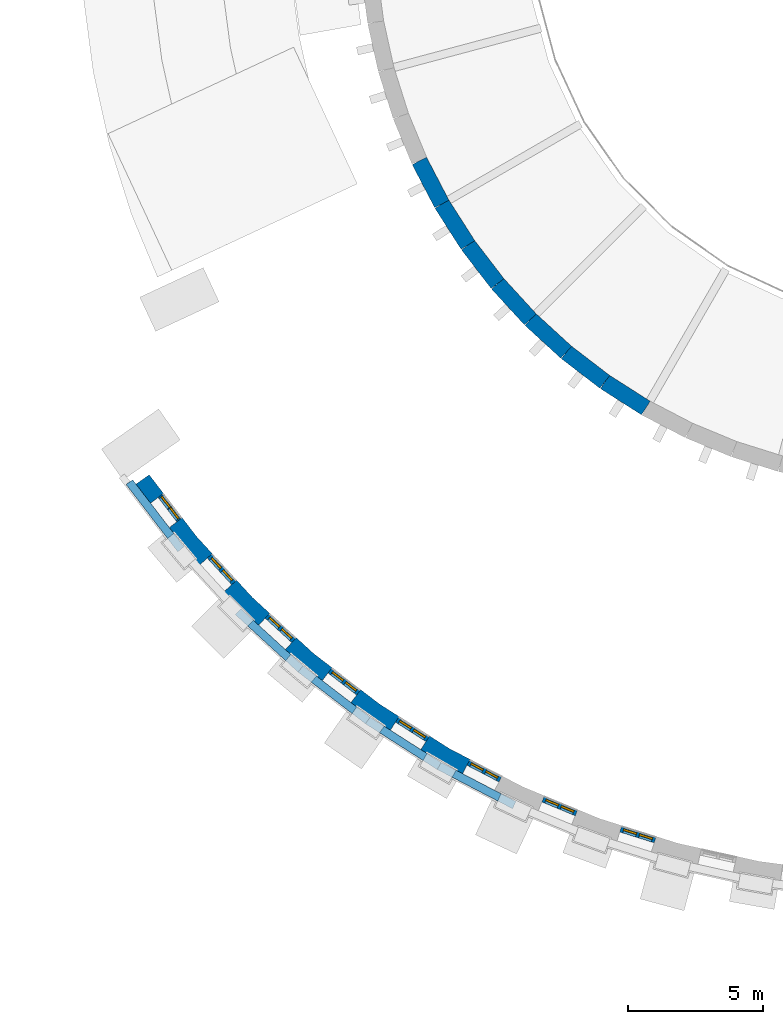
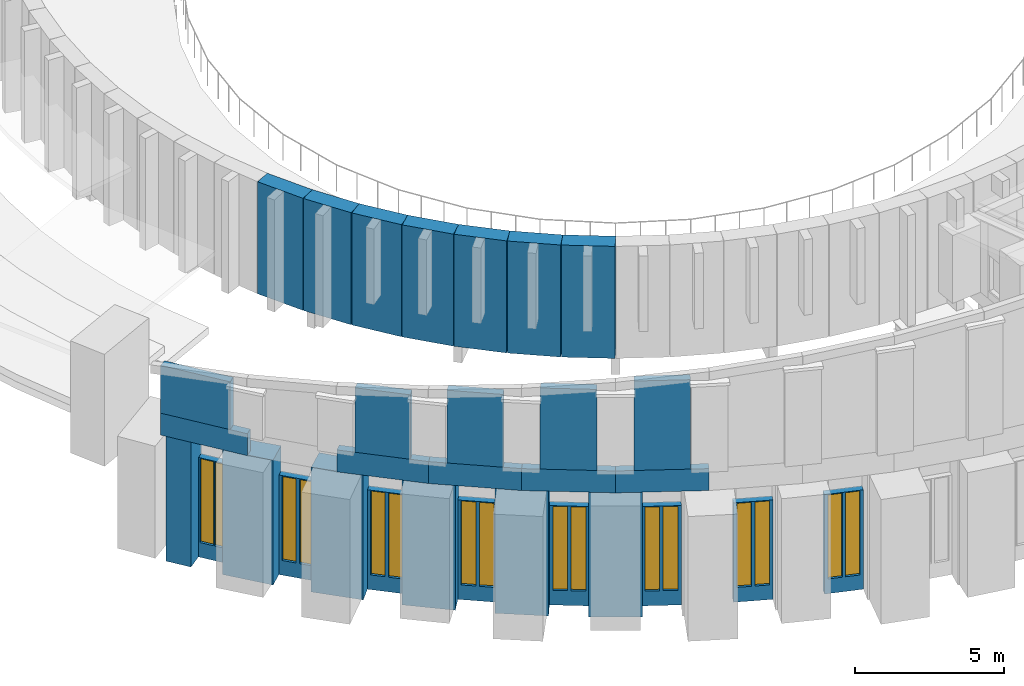
# One storey, part 23 of 50: 31 walls, 16 windows, 16 openings.
"""IFC4 building model written with IfcOpenShell, lengths in metres."""

from ifc_helpers import new_model, si_unit, direction, frame, frame_2d, origin, place, context, subcontext, project, spatial, polyline, rectangle, outline, extrude, material, layer, layer_set, type_object, element, fill, save


model = new_model("IFC4")

# Units and contexts
model_context = context("Model", 3, precision=1e-05, world=origin(), true_north=direction((0.0, 1.0)))
body_context = subcontext(model_context, "Body", "Model", "MODEL_VIEW")
ifc_project = project(units=[si_unit("LENGTHUNIT", "METRE"), si_unit("AREAUNIT", "SQUARE_METRE"), si_unit("VOLUMEUNIT", "CUBIC_METRE"), si_unit("PLANEANGLEUNIT", "RADIAN"), si_unit("MASSUNIT", "GRAM", prefix="KILO")], contexts=[model_context])

# Site, building, storey
site_placement = place(None, origin())
site = spatial("IfcSite", under=ifc_project, at=site_placement, CompositionType="ELEMENT")
building_placement = place(site_placement, origin())
building = spatial("IfcBuilding", under=site, at=building_placement, Name="Volute Hill Aquarium", CompositionType="ELEMENT")
storey_placement = place(building_placement, frame((0.0, 0.0, 9.199951171875)))
storey = spatial("IfcBuildingStorey", under=building, at=storey_placement, Name="L03", CompositionType="ELEMENT", Elevation=9.199951171875)

# Walls
ifc_material_1 = material(Name="Precast concrete C40/50", Category="concrete")
ifc_layer_1 = layer(ifc_material_1, 0.300048828125)
ifc_layer_set_1 = layer_set([ifc_layer_1], Name="Crown screen wall precast concrete C40/50 300")
wall_type_1 = type_object("IfcWallType", Name="Crown screen wall precast concrete C40/50 300", PredefinedType="NOTDEFINED", material=ifc_layer_set_1)
wall_1_placement = place(storey_placement, frame((0.0, 0.0, 6.022705078125)))
element("IfcWall", 1, at=wall_1_placement, inside=storey, type_object=wall_type_1, Name="Crown screen wall CSW S2 1", PredefinedType="NOTDEFINED", context=body_context, shape_type="SweptSolid", body=[
    extrude(outline(polyline([(-29.653564453125, -20.763671875), (-28.1103515625, -22.775146484375), (-27.88037109375, -22.58203125), (-29.40771484375, -20.591552734375), (-29.653564453125, -20.763671875)])), origin(), (0.0, 0.0, 1.0), 1.9619140625),
])
wall_2_placement = place(storey_placement, frame((0.0, 0.0, 6.022705078125)))
element("IfcWall", 2, at=wall_2_placement, inside=storey, type_object=wall_type_1, Name="Crown screen wall CSW S2 3", PredefinedType="NOTDEFINED", context=body_context, shape_type="SweptSolid", body=[
    extrude(outline(polyline([(-25.138427734375, -26.018310546875), (-23.728271484375, -27.310302734375), (-23.535400390625, -27.080322265625), (-24.926025390625, -25.805908203125), (-25.138427734375, -26.018310546875)])), origin(), (0.0, 0.0, 1.0), 2.645751953125),
])
wall_3_placement = place(storey_placement, frame((0.0, 0.0, 6.022705078125)))
element("IfcWall", 3, at=wall_3_placement, inside=storey, type_object=wall_type_1, Name="Crown screen wall CSW S2 4", PredefinedType="NOTDEFINED", context=body_context, shape_type="SweptSolid", body=[
    extrude(outline(polyline([(-22.775146484375, -28.1103515625), (-21.2578125, -29.2744140625), (-21.085693359375, -29.028564453125), (-22.58203125, -27.88037109375), (-22.775146484375, -28.1103515625)])), origin(), (0.0, 0.0, 1.0), 2.987548828125),
])
wall_4_placement = place(storey_placement, frame((0.0, 0.0, 6.022705078125)))
element("IfcWall", 4, at=wall_4_placement, inside=storey, type_object=wall_type_1, Name="Crown screen wall CSW S2 5", PredefinedType="NOTDEFINED", context=body_context, shape_type="SweptSolid", body=[
    extrude(outline(polyline([(-20.238525390625, -29.98828125), (-18.62548828125, -31.015869140625), (-18.475341796875, -30.755859375), (-20.066162109375, -29.7421875), (-20.238525390625, -29.98828125)])), origin(), (0.0, 0.0, 1.0), 3.32958984375),
])
wall_5_placement = place(storey_placement, frame((0.0, 0.0, 6.022705078125)))
element("IfcWall", 5, at=wall_5_placement, inside=storey, type_object=wall_type_1, Name="Crown screen wall CSW S2 6", PredefinedType="NOTDEFINED", context=body_context, shape_type="SweptSolid", body=[
    extrude(outline(polyline([(-17.5478515625, -31.637939453125), (-15.851318359375, -32.521240234375), (-15.724365234375, -32.2490234375), (-17.397705078125, -31.3779296875), (-17.5478515625, -31.637939453125)])), origin(), (0.0, 0.0, 1.0), 3.671630859375),
])
ifc_material_2 = material(Name="Concrete C35/45", Category="concrete")
ifc_layer_2 = layer(ifc_material_2, 0.60009765625)
ifc_layer_set_2 = layer_set([ifc_layer_2], Name="Drum wall C35/45 600")
wall_type_2 = type_object("IfcWallType", Name="Drum wall C35/45 600", PredefinedType="SHEAR", material=ifc_layer_set_2)
for number, where, z_axis, x_axis, name in (
    (6, (-18.760498046875, -8.748291015625, 0.0), (0.0, 0.0, 1.0), (0.461701764231, -0.887035219654, 0.0), "sw/DR/L03/41"),
    (7, (-17.9267578125, -10.35009765625, 0.0), (0.0, 0.0, 1.0), (0.537391510251, -0.843332890803, 0.0), "sw/DR/L03/42"),
):
    element("IfcWall", number, at=place(storey_placement, frame(where, z_axis=z_axis, x_axis=x_axis)), inside=storey, type_object=wall_type_2, Name=name, PredefinedType="SHEAR", context=body_context, shape_type="SweptSolid", body=[
        extrude(rectangle(XDim=1.805908203125, YDim=0.60009765625, at=frame_2d((0.90283203125, 0.0))), origin(), (0.0, 0.0, 1.0), 4.60009765625),
    ])
wall_6_placement = place(storey_placement, frame((-16.956298828125, -11.873046875, 0.0), z_axis=(0.0, 0.0, 1.0), x_axis=(0.608704004289, -0.793397400526, 0.0)))
element("IfcWall", 8, at=wall_6_placement, inside=storey, type_object=wall_type_2, Name="sw/DR/L03/43", PredefinedType="SHEAR", context=body_context, shape_type="SweptSolid", body=[
    extrude(rectangle(XDim=1.8056640625, YDim=0.60009765625, at=frame_2d((0.90283203125, 0.0))), origin(), (0.0, 0.0, 1.0), 4.60009765625),
])
for number, where, z_axis, x_axis, name in (
    (9, (-15.857177734375, -13.3056640625, 0.0), (0.0, 0.0, 1.0), (0.675540954152, -0.737322466268, 0.0), "sw/DR/L03/44"),
    (10, (-14.63720703125, -14.63720703125, 0.0), (0.0, 0.0, 1.0), (0.737322466268, -0.675540954152, 0.0), "sw/DR/L03/45"),
):
    element("IfcWall", number, at=place(storey_placement, frame(where, z_axis=z_axis, x_axis=x_axis)), inside=storey, type_object=wall_type_2, Name=name, PredefinedType="SHEAR", context=body_context, shape_type="SweptSolid", body=[
        extrude(rectangle(XDim=1.805908203125, YDim=0.60009765625, at=frame_2d((0.90283203125, 0.0))), origin(), (0.0, 0.0, 1.0), 4.60009765625),
    ])
wall_7_placement = place(storey_placement, frame((-13.3056640625, -15.857177734375, 0.0), z_axis=(0.0, 0.0, 1.0), x_axis=(0.793397400526, -0.608704004289, 0.0)))
element("IfcWall", 11, at=wall_7_placement, inside=storey, type_object=wall_type_2, Name="sw/DR/L03/46", PredefinedType="SHEAR", context=body_context, shape_type="SweptSolid", body=[
    extrude(rectangle(XDim=1.8056640625, YDim=0.60009765625, at=frame_2d((0.90283203125, 0.0))), origin(), (0.0, 0.0, 1.0), 4.60009765625),
])
wall_8_placement = place(storey_placement, frame((-11.873046875, -16.956298828125, 0.0), z_axis=(0.0, 0.0, 1.0), x_axis=(0.843332890803, -0.537391510251, 0.0)))
element("IfcWall", 12, at=wall_8_placement, inside=storey, type_object=wall_type_2, Name="sw/DR/L03/47", PredefinedType="SHEAR", context=body_context, shape_type="SweptSolid", body=[
    extrude(rectangle(XDim=1.805908203125, YDim=0.60009765625, at=frame_2d((0.90283203125, 0.0))), origin(), (0.0, 0.0, 1.0), 4.60009765625),
])

# Wall, openings, windows
ifc_material_3 = material(Name="Concrete C30/37", Category="concrete")
ifc_layer_3 = layer(ifc_material_3, 0.25)
ifc_layer_set_3 = layer_set([ifc_layer_3], Name="Niche back wall full height 250")
wall_type_3 = type_object("IfcWallType", Name="Niche back wall full height 250", PredefinedType="NOTDEFINED", material=ifc_layer_set_3)
wall_9_placement = place(storey_placement, frame((-27.66943359375, -22.07666015625, 0.0), z_axis=(0.0, 0.0, 1.0), x_axis=(-0.608831313341, 0.793299711267, 0.0)))
wall_9 = element("IfcWall", 13, at=wall_9_placement, inside=storey, type_object=wall_type_3, Name="Niche back wall OWN S2 L03 1", PredefinedType="NOTDEFINED", context=body_context, shape_type="SweptSolid", body=[
    extrude(rectangle(XDim=1.140869140625, YDim=0.25, at=frame_2d((0.5703125, 0.0))), origin(), (0.0, 0.0, 1.0), 4.081787109375),
])
opening_1_placement = place(wall_9_placement, frame((0.582763671875, 0.0, 0.60009765625)))
opening_1 = element("IfcOpeningElement", 14, at=opening_1_placement, cuts=wall_9, Name="Opening W3", PredefinedType="OPENING", context=body_context, shape_type="SweptSolid", body=[
    extrude(rectangle(XDim=0.5, YDim=3.449951171875, at=frame_2d((0.25, 1.72509765625))), frame((0.0, 0.135009765625, 0.0), z_axis=(0.0, -1.0, 0.0), x_axis=(1.0, 0.0, 0.0)), (0.0, 0.0, 1.0), 0.27001953125),
])
opening_2_placement = place(wall_9_placement, frame((0.05810546875, 0.0, 0.60009765625)))
opening_2 = element("IfcOpeningElement", 15, at=opening_2_placement, cuts=wall_9, Name="Opening W3", PredefinedType="OPENING", context=body_context, shape_type="SweptSolid", body=[
    extrude(rectangle(XDim=0.5, YDim=3.449951171875, at=frame_2d((0.25, 1.72509765625))), frame((0.0, 0.135009765625, 0.0), z_axis=(0.0, -1.0, 0.0), x_axis=(1.0, 0.0, 0.0)), (0.0, 0.0, 1.0), 0.27001953125),
])
ifc_material_4 = material(Name="Aluminium and glass", Category="aluminium")
window_type = type_object("IfcWindowType", Name="Slit window 500x3450", PartitioningType="SINGLE_PANEL", PredefinedType="WINDOW", material=ifc_material_4)
window_1_placement = place(opening_1_placement, origin())
window_1 = element("IfcWindow", 16, at=window_1_placement, inside=storey, type_object=window_type, Name="Slit window S2 L03 1.1.1", OverallHeight=3.449951171875, OverallWidth=0.5, PartitioningType="SINGLE_PANEL", PredefinedType="WINDOW", context=body_context, shape_type="SweptSolid", body=[
    extrude(rectangle(XDim=0.5, YDim=3.449951171875, at=frame_2d((0.25, 1.72509765625))), frame((0.0, 0.030029296875, 0.0), z_axis=(0.0, -1.0, 0.0), x_axis=(1.0, 0.0, 0.0)), (0.0, 0.0, 1.0), 0.06005859375),
])
fill(opening_1, window_1)
window_2_placement = place(opening_2_placement, origin())
window_2 = element("IfcWindow", 17, at=window_2_placement, inside=storey, type_object=window_type, Name="Slit window S2 L03 1.1.2", OverallHeight=3.449951171875, OverallWidth=0.5, PartitioningType="SINGLE_PANEL", PredefinedType="WINDOW", context=body_context, shape_type="SweptSolid", body=[
    extrude(rectangle(XDim=0.5, YDim=3.449951171875, at=frame_2d((0.25, 1.72509765625))), frame((0.0, 0.030029296875, 0.0), z_axis=(0.0, -1.0, 0.0), x_axis=(1.0, 0.0, 0.0)), (0.0, 0.0, 1.0), 0.06005859375),
])
fill(opening_2, window_2)

wall_10_placement = place(storey_placement, frame((-25.639892578125, -24.404296875, 0.0), z_axis=(0.0, 0.0, 1.0), x_axis=(-0.675576229389, 0.737290145251, 0.0)))
wall_10 = element("IfcWall", 18, at=wall_10_placement, inside=storey, type_object=wall_type_3, Name="Niche back wall OWN S2 L03 2", PredefinedType="NOTDEFINED", context=body_context, shape_type="SweptSolid", body=[
    extrude(rectangle(XDim=1.341064453125, YDim=0.25, at=frame_2d((0.67041015625, 0.0))), origin(), (0.0, 0.0, 1.0), 4.086669921875),
])
opening_3_placement = place(wall_10_placement, frame((0.72900390625, 0.0, 0.60009765625)))
opening_3 = element("IfcOpeningElement", 19, at=opening_3_placement, cuts=wall_10, Name="Opening W3", PredefinedType="OPENING", context=body_context, shape_type="SweptSolid", body=[
    extrude(rectangle(XDim=0.5, YDim=3.449951171875, at=frame_2d((0.25, 1.72509765625))), frame((0.0, 0.135009765625, 0.0), z_axis=(0.0, -1.0, 0.0), x_axis=(1.0, 0.0, 0.0)), (0.0, 0.0, 1.0), 0.27001953125),
])
opening_4_placement = place(wall_10_placement, frame((0.112060546875, 0.0, 0.60009765625)))
opening_4 = element("IfcOpeningElement", 20, at=opening_4_placement, cuts=wall_10, Name="Opening W3", PredefinedType="OPENING", context=body_context, shape_type="SweptSolid", body=[
    extrude(rectangle(XDim=0.5, YDim=3.449951171875, at=frame_2d((0.25, 1.72509765625))), frame((0.0, 0.135009765625, 0.0), z_axis=(0.0, -1.0, 0.0), x_axis=(1.0, 0.0, 0.0)), (0.0, 0.0, 1.0), 0.27001953125),
])
window_3_placement = place(opening_3_placement, origin())
window_3 = element("IfcWindow", 21, at=window_3_placement, inside=storey, type_object=window_type, Name="Slit window S2 L03 2.1.1", OverallHeight=3.449951171875, OverallWidth=0.5, PartitioningType="SINGLE_PANEL", PredefinedType="WINDOW", context=body_context, shape_type="SweptSolid", body=[
    extrude(rectangle(XDim=0.5, YDim=3.449951171875, at=frame_2d((0.25, 1.72509765625))), frame((0.0, 0.030029296875, 0.0), z_axis=(0.0, -1.0, 0.0), x_axis=(1.0, 0.0, 0.0)), (0.0, 0.0, 1.0), 0.06005859375),
])
fill(opening_3, window_3)
window_4_placement = place(opening_4_placement, origin())
window_4 = element("IfcWindow", 22, at=window_4_placement, inside=storey, type_object=window_type, Name="Slit window S2 L03 2.1.2", OverallHeight=3.449951171875, OverallWidth=0.5, PartitioningType="SINGLE_PANEL", PredefinedType="WINDOW", context=body_context, shape_type="SweptSolid", body=[
    extrude(rectangle(XDim=0.5, YDim=3.449951171875, at=frame_2d((0.25, 1.72509765625))), frame((0.0, 0.030029296875, 0.0), z_axis=(0.0, -1.0, 0.0), x_axis=(1.0, 0.0, 0.0)), (0.0, 0.0, 1.0), 0.06005859375),
])
fill(opening_4, window_4)

wall_11_placement = place(storey_placement, frame((-23.41552734375, -26.5458984375, 0.0), z_axis=(0.0, 0.0, 1.0), x_axis=(-0.737290145251, 0.675576229389, 0.0)))
wall_11 = element("IfcWall", 23, at=wall_11_placement, inside=storey, type_object=wall_type_3, Name="Niche back wall OWN S2 L03 3", PredefinedType="NOTDEFINED", context=body_context, shape_type="SweptSolid", body=[
    extrude(rectangle(XDim=1.341064453125, YDim=0.25, at=frame_2d((0.67041015625, 0.0))), origin(), (0.0, 0.0, 1.0), 4.07958984375),
])
opening_5_placement = place(wall_11_placement, frame((0.72900390625, 0.0, 0.60009765625)))
opening_5 = element("IfcOpeningElement", 24, at=opening_5_placement, cuts=wall_11, Name="Opening W3", PredefinedType="OPENING", context=body_context, shape_type="SweptSolid", body=[
    extrude(rectangle(XDim=0.5, YDim=3.449951171875, at=frame_2d((0.25, 1.72509765625))), frame((0.0, 0.135009765625, 0.0), z_axis=(0.0, -1.0, 0.0), x_axis=(1.0, 0.0, 0.0)), (0.0, 0.0, 1.0), 0.27001953125),
])
opening_6_placement = place(wall_11_placement, frame((0.112060546875, 0.0, 0.60009765625)))
opening_6 = element("IfcOpeningElement", 25, at=opening_6_placement, cuts=wall_11, Name="Opening W3", PredefinedType="OPENING", context=body_context, shape_type="SweptSolid", body=[
    extrude(rectangle(XDim=0.5, YDim=3.449951171875, at=frame_2d((0.25, 1.72509765625))), frame((0.0, 0.135009765625, 0.0), z_axis=(0.0, -1.0, 0.0), x_axis=(1.0, 0.0, 0.0)), (0.0, 0.0, 1.0), 0.27001953125),
])
window_5_placement = place(opening_5_placement, origin())
window_5 = element("IfcWindow", 26, at=window_5_placement, inside=storey, type_object=window_type, Name="Slit window S2 L03 3.1.1", OverallHeight=3.449951171875, OverallWidth=0.5, PartitioningType="SINGLE_PANEL", PredefinedType="WINDOW", context=body_context, shape_type="SweptSolid", body=[
    extrude(rectangle(XDim=0.5, YDim=3.449951171875, at=frame_2d((0.25, 1.72509765625))), frame((0.0, 0.030029296875, 0.0), z_axis=(0.0, -1.0, 0.0), x_axis=(1.0, 0.0, 0.0)), (0.0, 0.0, 1.0), 0.06005859375),
])
fill(opening_5, window_5)
window_6_placement = place(opening_6_placement, origin())
window_6 = element("IfcWindow", 27, at=window_6_placement, inside=storey, type_object=window_type, Name="Slit window S2 L03 3.1.2", OverallHeight=3.449951171875, OverallWidth=0.5, PartitioningType="SINGLE_PANEL", PredefinedType="WINDOW", context=body_context, shape_type="SweptSolid", body=[
    extrude(rectangle(XDim=0.5, YDim=3.449951171875, at=frame_2d((0.25, 1.72509765625))), frame((0.0, 0.030029296875, 0.0), z_axis=(0.0, -1.0, 0.0), x_axis=(1.0, 0.0, 0.0)), (0.0, 0.0, 1.0), 0.06005859375),
])
fill(opening_6, window_6)

wall_12_placement = place(storey_placement, frame((-21.0126953125, -28.48583984375, 0.0), z_axis=(0.0, 0.0, 1.0), x_axis=(-0.793354308621, 0.608760167055, 0.0)))
wall_12 = element("IfcWall", 28, at=wall_12_placement, inside=storey, type_object=wall_type_3, Name="Niche back wall OWN S2 L03 4", PredefinedType="NOTDEFINED", context=body_context, shape_type="SweptSolid", body=[
    extrude(rectangle(XDim=1.341064453125, YDim=0.25, at=frame_2d((0.67041015625, 0.0))), origin(), (0.0, 0.0, 1.0), 4.07958984375),
])
opening_7_placement = place(wall_12_placement, frame((0.72900390625, 0.0, 0.60009765625)))
opening_7 = element("IfcOpeningElement", 29, at=opening_7_placement, cuts=wall_12, Name="Opening W3", PredefinedType="OPENING", context=body_context, shape_type="SweptSolid", body=[
    extrude(rectangle(XDim=0.5, YDim=3.449951171875, at=frame_2d((0.25, 1.72509765625))), frame((0.0, 0.135009765625, 0.0), z_axis=(0.0, -1.0, 0.0), x_axis=(1.0, 0.0, 0.0)), (0.0, 0.0, 1.0), 0.27001953125),
])
opening_8_placement = place(wall_12_placement, frame((0.112060546875, 0.0, 0.60009765625)))
opening_8 = element("IfcOpeningElement", 30, at=opening_8_placement, cuts=wall_12, Name="Opening W3", PredefinedType="OPENING", context=body_context, shape_type="SweptSolid", body=[
    extrude(rectangle(XDim=0.5, YDim=3.449951171875, at=frame_2d((0.25, 1.72509765625))), frame((0.0, 0.135009765625, 0.0), z_axis=(0.0, -1.0, 0.0), x_axis=(1.0, 0.0, 0.0)), (0.0, 0.0, 1.0), 0.27001953125),
])
window_7_placement = place(opening_7_placement, origin())
window_7 = element("IfcWindow", 31, at=window_7_placement, inside=storey, type_object=window_type, Name="Slit window S2 L03 4.1.1", OverallHeight=3.449951171875, OverallWidth=0.5, PartitioningType="SINGLE_PANEL", PredefinedType="WINDOW", context=body_context, shape_type="SweptSolid", body=[
    extrude(rectangle(XDim=0.5, YDim=3.449951171875, at=frame_2d((0.25, 1.72509765625))), frame((0.0, 0.030029296875, 0.0), z_axis=(0.0, -1.0, 0.0), x_axis=(1.0, 0.0, 0.0)), (0.0, 0.0, 1.0), 0.06005859375),
])
fill(opening_7, window_7)
window_8_placement = place(opening_8_placement, origin())
window_8 = element("IfcWindow", 32, at=window_8_placement, inside=storey, type_object=window_type, Name="Slit window S2 L03 4.1.2", OverallHeight=3.449951171875, OverallWidth=0.5, PartitioningType="SINGLE_PANEL", PredefinedType="WINDOW", context=body_context, shape_type="SweptSolid", body=[
    extrude(rectangle(XDim=0.5, YDim=3.449951171875, at=frame_2d((0.25, 1.72509765625))), frame((0.0, 0.030029296875, 0.0), z_axis=(0.0, -1.0, 0.0), x_axis=(1.0, 0.0, 0.0)), (0.0, 0.0, 1.0), 0.06005859375),
])
fill(opening_8, window_8)

wall_13_placement = place(storey_placement, frame((-18.449951171875, -30.208740234375, 0.0), z_axis=(0.0, 0.0, 1.0), x_axis=(-0.843436528723, 0.5372288358, 0.0)))
wall_13 = element("IfcWall", 33, at=wall_13_placement, inside=storey, type_object=wall_type_3, Name="Niche back wall OWN S2 L03 5", PredefinedType="NOTDEFINED", context=body_context, shape_type="SweptSolid", body=[
    extrude(rectangle(XDim=1.341064453125, YDim=0.25, at=frame_2d((0.67041015625, 0.0))), origin(), (0.0, 0.0, 1.0), 4.07958984375),
])
opening_9_placement = place(wall_13_placement, frame((0.72900390625, 0.0, 0.60009765625)))
opening_9 = element("IfcOpeningElement", 34, at=opening_9_placement, cuts=wall_13, Name="Opening W3", PredefinedType="OPENING", context=body_context, shape_type="SweptSolid", body=[
    extrude(rectangle(XDim=0.5, YDim=3.449951171875, at=frame_2d((0.25, 1.72509765625))), frame((0.0, 0.135009765625, 0.0), z_axis=(0.0, -1.0, 0.0), x_axis=(1.0, 0.0, 0.0)), (0.0, 0.0, 1.0), 0.27001953125),
])
opening_10_placement = place(wall_13_placement, frame((0.112060546875, 0.0, 0.60009765625)))
opening_10 = element("IfcOpeningElement", 35, at=opening_10_placement, cuts=wall_13, Name="Opening W3", PredefinedType="OPENING", context=body_context, shape_type="SweptSolid", body=[
    extrude(rectangle(XDim=0.5, YDim=3.449951171875, at=frame_2d((0.25, 1.72509765625))), frame((0.0, 0.135009765625, 0.0), z_axis=(0.0, -1.0, 0.0), x_axis=(1.0, 0.0, 0.0)), (0.0, 0.0, 1.0), 0.27001953125),
])
window_9_placement = place(opening_9_placement, origin())
window_9 = element("IfcWindow", 36, at=window_9_placement, inside=storey, type_object=window_type, Name="Slit window S2 L03 5.1.1", OverallHeight=3.449951171875, OverallWidth=0.5, PartitioningType="SINGLE_PANEL", PredefinedType="WINDOW", context=body_context, shape_type="SweptSolid", body=[
    extrude(rectangle(XDim=0.5, YDim=3.449951171875, at=frame_2d((0.25, 1.72509765625))), frame((0.0, 0.030029296875, 0.0), z_axis=(0.0, -1.0, 0.0), x_axis=(1.0, 0.0, 0.0)), (0.0, 0.0, 1.0), 0.06005859375),
])
fill(opening_9, window_9)
window_10_placement = place(opening_10_placement, origin())
window_10 = element("IfcWindow", 37, at=window_10_placement, inside=storey, type_object=window_type, Name="Slit window S2 L03 5.1.2", OverallHeight=3.449951171875, OverallWidth=0.5, PartitioningType="SINGLE_PANEL", PredefinedType="WINDOW", context=body_context, shape_type="SweptSolid", body=[
    extrude(rectangle(XDim=0.5, YDim=3.449951171875, at=frame_2d((0.25, 1.72509765625))), frame((0.0, 0.030029296875, 0.0), z_axis=(0.0, -1.0, 0.0), x_axis=(1.0, 0.0, 0.0)), (0.0, 0.0, 1.0), 0.06005859375),
])
fill(opening_10, window_10)

wall_14_placement = place(storey_placement, frame((-15.7470703125, -31.701904296875, 0.0), z_axis=(0.0, 0.0, 1.0), x_axis=(-0.886951374027, 0.461862815252, 0.0)))
wall_14 = element("IfcWall", 38, at=wall_14_placement, inside=storey, type_object=wall_type_3, Name="Niche back wall OWN S2 L03 6", PredefinedType="NOTDEFINED", context=body_context, shape_type="SweptSolid", body=[
    extrude(rectangle(XDim=1.341064453125, YDim=0.25, at=frame_2d((0.67041015625, 0.0))), origin(), (0.0, 0.0, 1.0), 4.07958984375),
])
opening_11_placement = place(wall_14_placement, frame((0.72900390625, 0.0, 0.60009765625)))
opening_11 = element("IfcOpeningElement", 39, at=opening_11_placement, cuts=wall_14, Name="Opening W3", PredefinedType="OPENING", context=body_context, shape_type="SweptSolid", body=[
    extrude(rectangle(XDim=0.5, YDim=3.449951171875, at=frame_2d((0.25, 1.72509765625))), frame((0.0, 0.135009765625, 0.0), z_axis=(0.0, -1.0, 0.0), x_axis=(1.0, 0.0, 0.0)), (0.0, 0.0, 1.0), 0.27001953125),
])
opening_12_placement = place(wall_14_placement, frame((0.112060546875, 0.0, 0.60009765625)))
opening_12 = element("IfcOpeningElement", 40, at=opening_12_placement, cuts=wall_14, Name="Opening W3", PredefinedType="OPENING", context=body_context, shape_type="SweptSolid", body=[
    extrude(rectangle(XDim=0.5, YDim=3.449951171875, at=frame_2d((0.25, 1.72509765625))), frame((0.0, 0.135009765625, 0.0), z_axis=(0.0, -1.0, 0.0), x_axis=(1.0, 0.0, 0.0)), (0.0, 0.0, 1.0), 0.27001953125),
])
window_11_placement = place(opening_11_placement, origin())
window_11 = element("IfcWindow", 41, at=window_11_placement, inside=storey, type_object=window_type, Name="Slit window S2 L03 6.1.1", OverallHeight=3.449951171875, OverallWidth=0.5, PartitioningType="SINGLE_PANEL", PredefinedType="WINDOW", context=body_context, shape_type="SweptSolid", body=[
    extrude(rectangle(XDim=0.5, YDim=3.449951171875, at=frame_2d((0.25, 1.72509765625))), frame((0.0, 0.030029296875, 0.0), z_axis=(0.0, -1.0, 0.0), x_axis=(1.0, 0.0, 0.0)), (0.0, 0.0, 1.0), 0.06005859375),
])
fill(opening_11, window_11)
window_12_placement = place(opening_12_placement, origin())
window_12 = element("IfcWindow", 42, at=window_12_placement, inside=storey, type_object=window_type, Name="Slit window S2 L03 6.1.2", OverallHeight=3.449951171875, OverallWidth=0.5, PartitioningType="SINGLE_PANEL", PredefinedType="WINDOW", context=body_context, shape_type="SweptSolid", body=[
    extrude(rectangle(XDim=0.5, YDim=3.449951171875, at=frame_2d((0.25, 1.72509765625))), frame((0.0, 0.030029296875, 0.0), z_axis=(0.0, -1.0, 0.0), x_axis=(1.0, 0.0, 0.0)), (0.0, 0.0, 1.0), 0.06005859375),
])
fill(opening_12, window_12)

wall_15_placement = place(storey_placement, frame((-12.924072265625, -32.95361328125, 0.0), z_axis=(0.0, 0.0, 1.0), x_axis=(-0.923888145957, 0.382662637005, 0.0)))
wall_15 = element("IfcWall", 43, at=wall_15_placement, inside=storey, type_object=wall_type_3, Name="Niche back wall OWN S2 L03 7", PredefinedType="NOTDEFINED", context=body_context, shape_type="SweptSolid", body=[
    extrude(rectangle(XDim=1.341064453125, YDim=0.25, at=frame_2d((0.67041015625, 0.0))), origin(), (0.0, 0.0, 1.0), 4.07958984375),
])
opening_13_placement = place(wall_15_placement, frame((0.72900390625, 0.0, 0.60009765625)))
opening_13 = element("IfcOpeningElement", 44, at=opening_13_placement, cuts=wall_15, Name="Opening W3", PredefinedType="OPENING", context=body_context, shape_type="SweptSolid", body=[
    extrude(rectangle(XDim=0.5, YDim=3.449951171875, at=frame_2d((0.25, 1.72509765625))), frame((0.0, 0.135009765625, 0.0), z_axis=(0.0, -1.0, 0.0), x_axis=(1.0, 0.0, 0.0)), (0.0, 0.0, 1.0), 0.27001953125),
])
opening_14_placement = place(wall_15_placement, frame((0.112060546875, 0.0, 0.60009765625)))
opening_14 = element("IfcOpeningElement", 45, at=opening_14_placement, cuts=wall_15, Name="Opening W3", PredefinedType="OPENING", context=body_context, shape_type="SweptSolid", body=[
    extrude(rectangle(XDim=0.5, YDim=3.449951171875, at=frame_2d((0.25, 1.72509765625))), frame((0.0, 0.135009765625, 0.0), z_axis=(0.0, -1.0, 0.0), x_axis=(1.0, 0.0, 0.0)), (0.0, 0.0, 1.0), 0.27001953125),
])
window_13_placement = place(opening_13_placement, origin())
window_13 = element("IfcWindow", 46, at=window_13_placement, inside=storey, type_object=window_type, Name="Slit window S2 L03 7.1.1", OverallHeight=3.449951171875, OverallWidth=0.5, PartitioningType="SINGLE_PANEL", PredefinedType="WINDOW", context=body_context, shape_type="SweptSolid", body=[
    extrude(rectangle(XDim=0.5, YDim=3.449951171875, at=frame_2d((0.25, 1.72509765625))), frame((0.0, 0.030029296875, 0.0), z_axis=(0.0, -1.0, 0.0), x_axis=(1.0, 0.0, 0.0)), (0.0, 0.0, 1.0), 0.06005859375),
])
fill(opening_13, window_13)
window_14_placement = place(opening_14_placement, origin())
window_14 = element("IfcWindow", 47, at=window_14_placement, inside=storey, type_object=window_type, Name="Slit window S2 L03 7.1.2", OverallHeight=3.449951171875, OverallWidth=0.5, PartitioningType="SINGLE_PANEL", PredefinedType="WINDOW", context=body_context, shape_type="SweptSolid", body=[
    extrude(rectangle(XDim=0.5, YDim=3.449951171875, at=frame_2d((0.25, 1.72509765625))), frame((0.0, 0.030029296875, 0.0), z_axis=(0.0, -1.0, 0.0), x_axis=(1.0, 0.0, 0.0)), (0.0, 0.0, 1.0), 0.06005859375),
])
fill(opening_14, window_14)

wall_16_placement = place(storey_placement, frame((-10.002685546875, -33.95458984375, 0.0), z_axis=(0.0, 0.0, 1.0), x_axis=(-0.953709137905, 0.300730577556, 0.0)))
wall_16 = element("IfcWall", 48, at=wall_16_placement, inside=storey, type_object=wall_type_3, Name="Niche back wall OWN S2 L03 8", PredefinedType="NOTDEFINED", context=body_context, shape_type="SweptSolid", body=[
    extrude(rectangle(XDim=1.341064453125, YDim=0.25, at=frame_2d((0.67041015625, 0.0))), origin(), (0.0, 0.0, 1.0), 4.07958984375),
])
opening_15_placement = place(wall_16_placement, frame((0.72900390625, 0.0, 0.60009765625)))
opening_15 = element("IfcOpeningElement", 49, at=opening_15_placement, cuts=wall_16, Name="Opening W3", PredefinedType="OPENING", context=body_context, shape_type="SweptSolid", body=[
    extrude(rectangle(XDim=0.5, YDim=3.449951171875, at=frame_2d((0.25, 1.72509765625))), frame((0.0, 0.135009765625, 0.0), z_axis=(0.0, -1.0, 0.0), x_axis=(1.0, 0.0, 0.0)), (0.0, 0.0, 1.0), 0.27001953125),
])
opening_16_placement = place(wall_16_placement, frame((0.112060546875, 0.0, 0.60009765625)))
opening_16 = element("IfcOpeningElement", 50, at=opening_16_placement, cuts=wall_16, Name="Opening W3", PredefinedType="OPENING", context=body_context, shape_type="SweptSolid", body=[
    extrude(rectangle(XDim=0.5, YDim=3.449951171875, at=frame_2d((0.25, 1.72509765625))), frame((0.0, 0.135009765625, 0.0), z_axis=(0.0, -1.0, 0.0), x_axis=(1.0, 0.0, 0.0)), (0.0, 0.0, 1.0), 0.27001953125),
])
window_15_placement = place(opening_15_placement, origin())
window_15 = element("IfcWindow", 51, at=window_15_placement, inside=storey, type_object=window_type, Name="Slit window S2 L03 8.1.1", OverallHeight=3.449951171875, OverallWidth=0.5, PartitioningType="SINGLE_PANEL", PredefinedType="WINDOW", context=body_context, shape_type="SweptSolid", body=[
    extrude(rectangle(XDim=0.5, YDim=3.449951171875, at=frame_2d((0.25, 1.72509765625))), frame((0.0, 0.030029296875, 0.0), z_axis=(0.0, -1.0, 0.0), x_axis=(1.0, 0.0, 0.0)), (0.0, 0.0, 1.0), 0.06005859375),
])
fill(opening_15, window_15)
window_16_placement = place(opening_16_placement, origin())
window_16 = element("IfcWindow", 52, at=window_16_placement, inside=storey, type_object=window_type, Name="Slit window S2 L03 8.1.2", OverallHeight=3.449951171875, OverallWidth=0.5, PartitioningType="SINGLE_PANEL", PredefinedType="WINDOW", context=body_context, shape_type="SweptSolid", body=[
    extrude(rectangle(XDim=0.5, YDim=3.449951171875, at=frame_2d((0.25, 1.72509765625))), frame((0.0, 0.030029296875, 0.0), z_axis=(0.0, -1.0, 0.0), x_axis=(1.0, 0.0, 0.0)), (0.0, 0.0, 1.0), 0.06005859375),
])
fill(opening_16, window_16)

# Walls
ifc_material_5 = material(Name="Precast concrete C40/50", Category="concrete")
ifc_layer_4 = layer(ifc_material_5, 0.89990234375)
ifc_layer_set_4 = layer_set([ifc_layer_4], Name="Outer pier precast concrete C40/50 900")
wall_type_4 = type_object("IfcWallType", Name="Outer pier precast concrete C40/50 900", PredefinedType="NOTDEFINED", material=ifc_layer_set_4)
wall_17_placement = place(storey_placement, origin())
element("IfcWall", 53, at=wall_17_placement, inside=storey, type_object=wall_type_4, Name="Outer pier OWP S2 L03 1", PredefinedType="NOTDEFINED", context=body_context, shape_type="SweptSolid", body=[
    extrude(outline(polyline([(-28.7939453125, -20.40576171875), (-29.53173828125, -20.922607421875), (-28.978759765625, -21.643310546875), (-28.2646484375, -21.095458984375), (-28.7939453125, -20.40576171875)])), origin(), (0.0, 0.0, 1.0), 5.12255859375),
])
wall_18_placement = place(storey_placement, origin())
element("IfcWall", 54, at=wall_18_placement, inside=storey, type_object=wall_type_4, Name="Outer pier OWP S2 L03 2", PredefinedType="NOTDEFINED", context=body_context, shape_type="SweptSolid", body=[
    extrude(outline(polyline([(-27.570068359375, -22.00048828125), (-28.2841796875, -22.548583984375), (-27.117431640625, -23.93896484375), (-26.453857421875, -23.3310546875), (-27.041015625, -22.690185546875), (-27.570068359375, -22.00048828125)])), origin(), (0.0, 0.0, 1.0), 5.12255859375),
])
wall_19_placement = place(storey_placement, origin())
element("IfcWall", 55, at=wall_19_placement, inside=storey, type_object=wall_type_4, Name="Outer pier OWP S2 L03 3", PredefinedType="NOTDEFINED", context=body_context, shape_type="SweptSolid", body=[
    extrude(outline(polyline([(-25.5478515625, -24.31982421875), (-26.21142578125, -24.927734375), (-24.927734375, -26.21142578125), (-24.31982421875, -25.5478515625), (-24.960693359375, -24.960693359375), (-25.5478515625, -24.31982421875)])), origin(), (0.0, 0.0, 1.0), 5.12255859375),
])
wall_20_placement = place(storey_placement, origin())
element("IfcWall", 56, at=wall_20_placement, inside=storey, type_object=wall_type_4, Name="Outer pier OWP S2 L03 4", PredefinedType="NOTDEFINED", context=body_context, shape_type="SweptSolid", body=[
    extrude(outline(polyline([(-23.3310546875, -26.453857421875), (-23.93896484375, -27.117431640625), (-22.548583984375, -28.2841796875), (-22.00048828125, -27.570068359375), (-22.690185546875, -27.041015625), (-23.3310546875, -26.453857421875)])), origin(), (0.0, 0.0, 1.0), 5.12255859375),
])
wall_21_placement = place(storey_placement, origin())
element("IfcWall", 57, at=wall_21_placement, inside=storey, type_object=wall_type_4, Name="Outer pier OWP S2 L03 5", PredefinedType="NOTDEFINED", context=body_context, shape_type="SweptSolid", body=[
    extrude(outline(polyline([(-20.9365234375, -28.386474609375), (-21.484619140625, -29.1005859375), (-19.99755859375, -30.141845703125), (-19.513916015625, -29.3828125), (-20.2470703125, -28.915771484375), (-20.9365234375, -28.386474609375)])), origin(), (0.0, 0.0, 1.0), 5.12255859375),
])
wall_22_placement = place(storey_placement, origin())
element("IfcWall", 58, at=wall_22_placement, inside=storey, type_object=wall_type_4, Name="Outer pier OWP S2 L03 6", PredefinedType="NOTDEFINED", context=body_context, shape_type="SweptSolid", body=[
    extrude(outline(polyline([(-18.3828125, -30.103271484375), (-18.866455078125, -30.8623046875), (-17.29443359375, -31.77001953125), (-16.87890625, -30.9716796875), (-17.64990234375, -30.5703125), (-18.3828125, -30.103271484375)])), origin(), (0.0, 0.0, 1.0), 5.12255859375),
])
ifc_material_6 = material(Name="Precast concrete C40/50", Category="concrete")
ifc_layer_5 = layer(ifc_material_6, 0.300048828125)
ifc_layer_set_5 = layer_set([ifc_layer_5], Name="Roof edge parapet precast concrete C40/50 300")
wall_type_5 = type_object("IfcWallType", Name="Roof edge parapet precast concrete C40/50 300", PredefinedType="PARAPET", material=ifc_layer_set_5)
wall_23_placement = place(storey_placement, frame((0.0, 0.0, 5.12255859375)))
element("IfcWall", 59, at=wall_23_placement, inside=storey, type_object=wall_type_5, Name="Roof edge parapet PAR S2 1", PredefinedType="PARAPET", context=body_context, shape_type="SweptSolid", body=[
    extrude(outline(polyline([(-27.731201171875, -23.269287109375), (-27.501220703125, -23.076171875), (-29.40771484375, -20.591552734375), (-29.653564453125, -20.763671875), (-27.731201171875, -23.269287109375)])), origin(), (0.0, 0.0, 1.0), 0.900146484375),
])
wall_24_placement = place(storey_placement, frame((0.0, 0.0, 5.12255859375)))
element("IfcWall", 60, at=wall_24_placement, inside=storey, type_object=wall_type_5, Name="Roof edge parapet PAR S2 3", PredefinedType="PARAPET", context=body_context, shape_type="SweptSolid", body=[
    extrude(outline(polyline([(-25.38525390625, -25.38525390625), (-25.59765625, -25.59765625), (-23.269287109375, -27.731201171875), (-23.076171875, -27.501220703125), (-25.38525390625, -25.38525390625)])), origin(), (0.0, 0.0, 1.0), 0.900146484375),
])
wall_25_placement = place(storey_placement, frame((0.0, 0.0, 5.12255859375)))
element("IfcWall", 61, at=wall_25_placement, inside=storey, type_object=wall_type_5, Name="Roof edge parapet PAR S2 4", PredefinedType="PARAPET", context=body_context, shape_type="SweptSolid", body=[
    extrude(outline(polyline([(-23.076171875, -27.501220703125), (-23.269287109375, -27.731201171875), (-20.763671875, -29.653564453125), (-20.591552734375, -29.40771484375), (-23.076171875, -27.501220703125)])), origin(), (0.0, 0.0, 1.0), 0.900146484375),
])
wall_26_placement = place(storey_placement, frame((0.0, 0.0, 5.12255859375)))
element("IfcWall", 62, at=wall_26_placement, inside=storey, type_object=wall_type_5, Name="Roof edge parapet PAR S2 5", PredefinedType="PARAPET", context=body_context, shape_type="SweptSolid", body=[
    extrude(outline(polyline([(-20.591552734375, -29.40771484375), (-20.763671875, -29.653564453125), (-18.10009765625, -31.3505859375), (-17.949951171875, -31.09033203125), (-20.591552734375, -29.40771484375)])), origin(), (0.0, 0.0, 1.0), 0.900146484375),
])
wall_27_placement = place(storey_placement, frame((0.0, 0.0, 5.12255859375)))
element("IfcWall", 63, at=wall_27_placement, inside=storey, type_object=wall_type_5, Name="Roof edge parapet PAR S2 6", PredefinedType="PARAPET", context=body_context, shape_type="SweptSolid", body=[
    extrude(outline(polyline([(-17.949951171875, -31.09033203125), (-18.10009765625, -31.3505859375), (-15.299072265625, -32.808837890625), (-15.172119140625, -32.53662109375), (-17.949951171875, -31.09033203125)])), origin(), (0.0, 0.0, 1.0), 0.900146484375),
])

save(model, "model.ifc")
